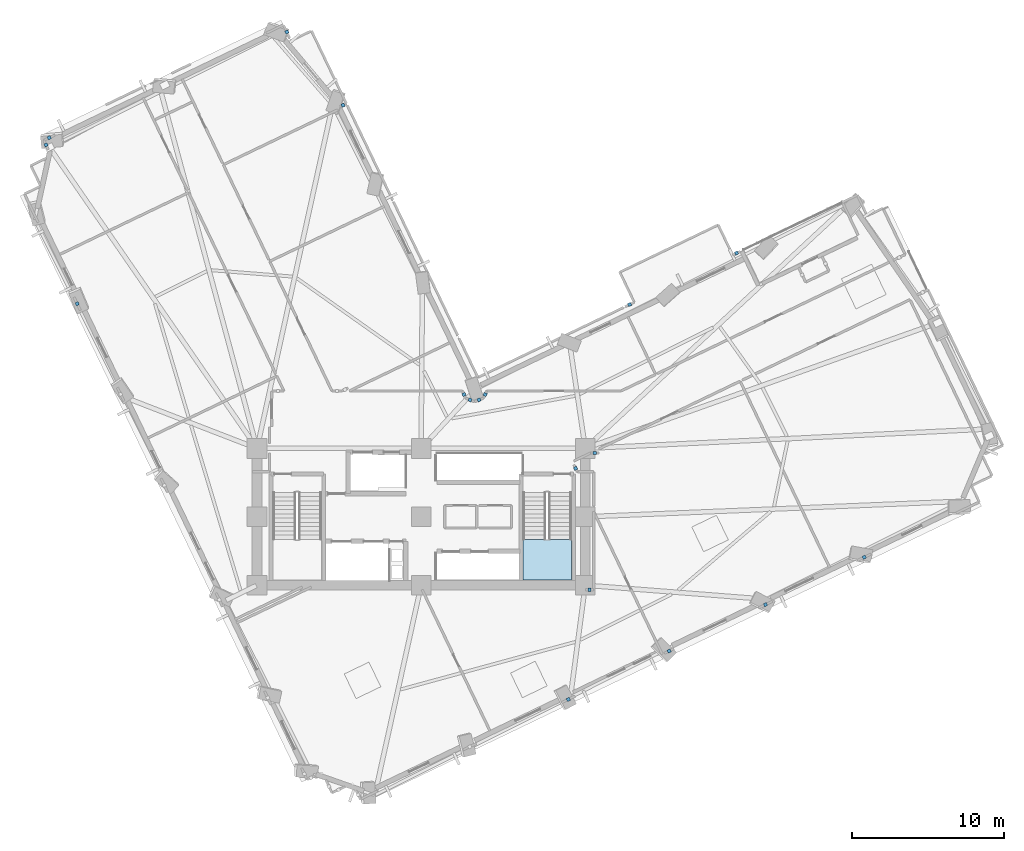
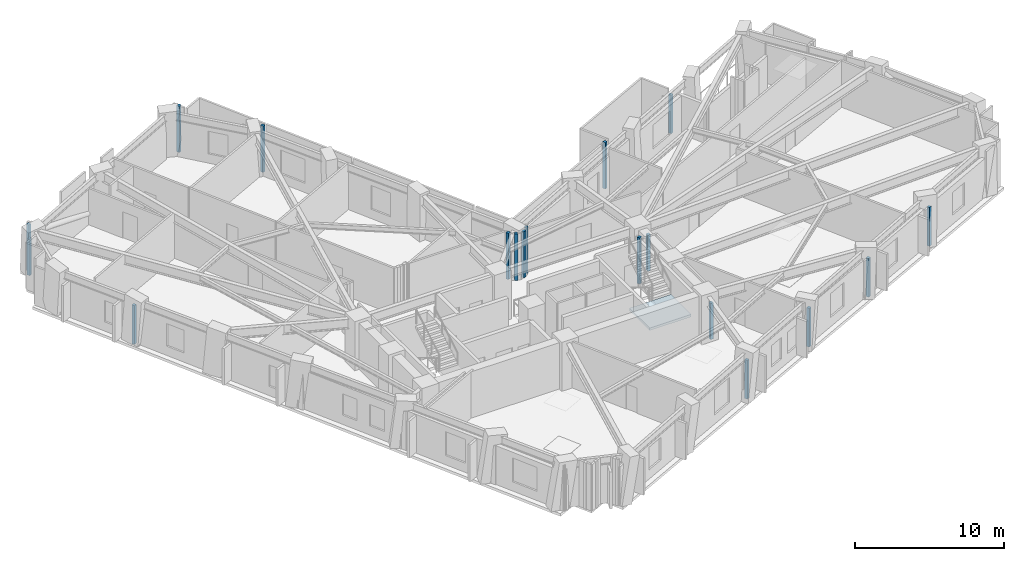
# One storey, part 5 of 16: 18 plates, 1 slab, 1 element without a shape of its own.
"""IFC4 building model written with IfcOpenShell, lengths in metres."""

from ifc_helpers import new_model, si_unit, direction, frame, origin, origin_2d, place, context, subcontext, project, spatial, polyline, rectangle, outline, extrude, material, layer, layer_set, type_object, element, aggregate, save


model = new_model("IFC4")

# Units and contexts
model_context = context("Model", 3, precision=1e-05, world=origin(), true_north=direction((0.0, 1.0)))
body_context = subcontext(model_context, "Body", "Model", "MODEL_VIEW")
ifc_project = project(units=[si_unit("LENGTHUNIT", "METRE"), si_unit("AREAUNIT", "SQUARE_METRE"), si_unit("VOLUMEUNIT", "CUBIC_METRE"), si_unit("PLANEANGLEUNIT", "RADIAN"), si_unit("MASSUNIT", "GRAM", prefix="KILO")], contexts=[model_context])

# Site, building, storey
site_placement = place(None, origin())
site = spatial("IfcSite", under=ifc_project, at=site_placement, CompositionType="ELEMENT")
building_placement = place(site_placement, origin())
building = spatial("IfcBuilding", under=site, at=building_placement, Name="Gaonmaruhae Medical Tower", CompositionType="ELEMENT")
storey_placement = place(building_placement, frame((0.0, 0.0, 132.39990234375)))
storey = spatial("IfcBuildingStorey", under=building, at=storey_placement, Name="L31", CompositionType="ELEMENT", Elevation=132.39990234375)

# Plates
ifc_material_1 = material(Name="Anodised aluminium 6063-T6", Category="aluminium")
ifc_layer_1 = layer(ifc_material_1, 0.011962890625)
ifc_layer_set_1 = layer_set([ifc_layer_1], Name="Anodised aluminium 6063-T6")
plate_type = type_object("IfcPlateType", Name="PP-01 Interior Partition Corner Stiffener Plate", PredefinedType="SHEET", material=ifc_layer_set_1)
plate_1_placement = place(storey_placement, frame((34.4833984375, 0.287109375, 0.0), z_axis=(0.0, 0.0, 1.0), x_axis=(-0.901462672027, -0.432856848095, 0.0)))
element("IfcPlate", 1, at=plate_1_placement, inside=storey, type_object=plate_type, Name="L31 Partition Corner Stiffener Plate PLT-L31-JGP-PW019", PredefinedType="SHEET", context=body_context, shape_type="SweptSolid", body=[
    extrude(rectangle(XDim=0.219970703125, YDim=0.219970703125, at=origin_2d()), origin(), (0.0, 0.0, 1.0), 3.1650390625),
])
plate_2_placement = place(storey_placement, frame((35.875, 7.5, 0.0), z_axis=(0.0, 0.0, 1.0), x_axis=(1.0, 0.0, 0.0)))
element("IfcPlate", 2, at=plate_2_placement, inside=storey, type_object=plate_type, Name="L31 Partition Corner Stiffener Plate PLT-L31-JGP-PW020", PredefinedType="SHEET", context=body_context, shape_type="SweptSolid", body=[
    extrude(rectangle(XDim=0.219970703125, YDim=0.219970703125, at=origin_2d()), origin(), (0.0, 0.0, 1.0), 2.965087890625),
])
plate_3_placement = place(storey_placement, frame((34.96240234375, 15.493896484375, 0.0), z_axis=(0.0, 0.0, 1.0), x_axis=(-0.433297334158, 0.90125103063, 0.0)))
element("IfcPlate", 3, at=plate_3_placement, inside=storey, type_object=plate_type, Name="L31 Partition Corner Stiffener Plate PLT-L31-JGP-PW022", PredefinedType="SHEET", context=body_context, shape_type="SweptSolid", body=[
    extrude(rectangle(XDim=0.219970703125, YDim=0.219970703125, at=origin_2d()), origin(), (0.0, 0.0, 1.0), 3.780029296875),
])
plate_4_placement = place(storey_placement, frame((36.22607421875, 16.5, 0.0), z_axis=(0.0, 0.0, 1.0), x_axis=(1.0, 0.0, 0.0)))
element("IfcPlate", 4, at=plate_4_placement, inside=storey, type_object=plate_type, Name="L31 Partition Corner Stiffener Plate PLT-L31-JGP-PW024", PredefinedType="SHEET", context=body_context, shape_type="SweptSolid", body=[
    extrude(rectangle(XDim=0.219970703125, YDim=0.219970703125, at=origin_2d()), origin(), (0.0, 0.0, 1.0), 2.965087890625),
])
for number, where, z_axis, x_axis, name in (
    (5, (47.462890625, 6.51953125, 0.0), (0.0, 0.0, 1.0), (-0.901190522124, -0.433423168316, 0.0), "L31 Partition Corner Stiffener Plate PLT-L31-JGP-PW027"),
    (6, (41.113525390625, 3.470458984375, 0.0), (0.0, 0.0, 1.0), (-0.901084589964, -0.433643357761, 0.0), "L31 Partition Corner Stiffener Plate PLT-L31-JGP-PW028"),
    (7, (53.95361328125, 9.636474609375, 0.0), (0.0, 0.0, 1.0), (-0.901507995747, -0.432762444771, 0.0), "L31 Partition Corner Stiffener Plate PLT-L31-JGP-PW037"),
    (8, (2.1669921875, 26.31396484375, 0.0), (0.0, 0.0, 1.0), (-0.432998444179, 0.901394667911, 0.0), "L31 Partition Corner Stiffener Plate PLT-L31-JGP-PW051"),
):
    element("IfcPlate", number, at=place(storey_placement, frame(where, z_axis=z_axis, x_axis=x_axis)), inside=storey, type_object=plate_type, Name=name, PredefinedType="SHEET", context=body_context, shape_type="SweptSolid", body=[
        extrude(rectangle(XDim=0.219970703125, YDim=0.219970703125, at=origin_2d()), origin(), (0.0, 0.0, 1.0), 3.1650390625),
    ])
plate_5_placement = place(storey_placement, frame((0.118408203125, 36.77001953125, 0.0), z_axis=(0.0, 0.0, 1.0), x_axis=(-0.43287258152, 0.901455117112, 0.0)))
element("IfcPlate", 9, at=plate_5_placement, inside=storey, type_object=plate_type, Name="L31 Partition Corner Stiffener Plate PLT-L31-JGP-PW053", PredefinedType="SHEET", context=body_context, shape_type="SweptSolid", body=[
    extrude(rectangle(XDim=0.219970703125, YDim=0.219970703125, at=origin_2d()), origin(), (0.0, 0.0, 1.0), 2.965087890625),
])
for number, where, z_axis, x_axis, name in (
    (10, (0.33056640625, 37.244384765625, 0.0), (0.0, 0.0, 1.0), (0.901621261795, 0.432526415702, 0.0), "L31 Partition Corner Stiffener Plate PLT-L31-JGP-PW054"),
    (11, (29.008056640625, 20.346923828125, 0.0), (0.0, 0.0, 1.0), (-0.410846154607, -0.911704687519, 0.0), "L31 Partition Corner Stiffener Plate PLT-L31-JGP-PW059"),
    (12, (28.6083984375, 19.991943359375, 0.0), (0.0, 0.0, 1.0), (-0.923866173777, -0.382715681611, 0.0), "L31 Partition Corner Stiffener Plate PLT-L31-JGP-PW060"),
    (13, (28.01904296875, 19.991943359375, 0.0), (0.0, 0.0, 1.0), (-0.924093119157, 0.382167381036, 0.0), "L31 Partition Corner Stiffener Plate PLT-L31-JGP-PW061"),
    (14, (27.618896484375, 20.346923828125, 0.0), (0.0, 0.0, 1.0), (-0.410846154607, 0.911704687519, 0.0), "L31 Partition Corner Stiffener Plate PLT-L31-JGP-PW062"),
):
    element("IfcPlate", number, at=place(storey_placement, frame(where, z_axis=z_axis, x_axis=x_axis)), inside=storey, type_object=plate_type, Name=name, PredefinedType="SHEET", context=body_context, shape_type="SweptSolid", body=[
        extrude(rectangle(XDim=0.219970703125, YDim=0.219970703125, at=origin_2d()), origin(), (0.0, 0.0, 1.0), 3.780029296875),
    ])
plate_6_placement = place(storey_placement, frame((45.554443359375, 29.652587890625, 0.0), z_axis=(0.0, 0.0, 1.0), x_axis=(0.901892848166, 0.431959825015, 0.0)))
element("IfcPlate", 15, at=plate_6_placement, inside=storey, type_object=plate_type, Name="L31 Partition Corner Stiffener Plate PLT-L31-JGP-PW071", PredefinedType="SHEET", context=body_context, shape_type="SweptSolid", body=[
    extrude(rectangle(XDim=0.219970703125, YDim=0.219970703125, at=origin_2d()), origin(), (0.0, 0.0, 1.0), 3.14501953125),
])
for number, where, z_axis, x_axis, name in (
    (16, (38.5185546875, 26.27392578125, 0.0), (0.0, 0.0, 1.0), (0.901334201137, 0.433124298397, 0.0), "L31 Partition Corner Stiffener Plate PLT-L31-JGP-PW082"),
    (17, (19.656494140625, 39.381591796875, 0.0), (0.0, 0.0, 1.0), (-0.902457509409, -0.430778880299, 0.0), "L31 Partition Corner Stiffener Plate PLT-L31-JGP-PW094"),
    (18, (15.96044921875, 44.208984375, 0.0), (0.0, 0.0, 1.0), (0.433187222339, -0.90130396116, 0.0), "L31 Partition Corner Stiffener Plate PLT-L31-JGP-PW097"),
):
    element("IfcPlate", number, at=place(storey_placement, frame(where, z_axis=z_axis, x_axis=x_axis)), inside=storey, type_object=plate_type, Name=name, PredefinedType="SHEET", context=body_context, shape_type="SweptSolid", body=[
        extrude(rectangle(XDim=0.219970703125, YDim=0.219970703125, at=origin_2d()), origin(), (0.0, 0.0, 1.0), 3.780029296875),
    ])

# Stair, slab
ifc_material_2 = material(Name="Concrete C40/50", Category="concrete")
stair_type = type_object("IfcStairType", Name="ST-T1 Primary Core Escape Dogleg Stair", PredefinedType="TWO_QUARTER_TURN_STAIR", material=ifc_material_2)
stair_placement = place(storey_placement, origin())
stair = element("IfcStair", 19, at=stair_placement, inside=storey, type_object=stair_type, Name="L31 Protected Escape Stair ST-02", PredefinedType="TWO_QUARTER_TURN_STAIR")
ifc_layer_2 = layer(ifc_material_2, 0.199951171875)
ifc_layer_set_2 = layer_set([ifc_layer_2], Name="Concrete C40/50")
slab_type = type_object("IfcSlabType", Name="SL-200 Stair & Ramp Intermediate Concrete Landing", PredefinedType="LANDING", material=ifc_layer_set_2)
slab_placement = place(storey_placement, frame((0.0, 0.0, 1.800048828125)))
slab = element("IfcSlab", 20, at=slab_placement, type_object=slab_type, Name="ST-02 landing 1", PredefinedType="LANDING", context=body_context, shape_type="SweptSolid", body=[
    extrude(outline(polyline([(31.5, 10.820068359375), (31.5, 8.12890625), (34.699951171875, 8.12890625), (34.699951171875, 10.820068359375), (31.5, 10.820068359375)])), origin(), (0.0, 0.0, 1.0), 0.199951171875),
])
aggregate(stair, [slab])

save(model, "model.ifc")
